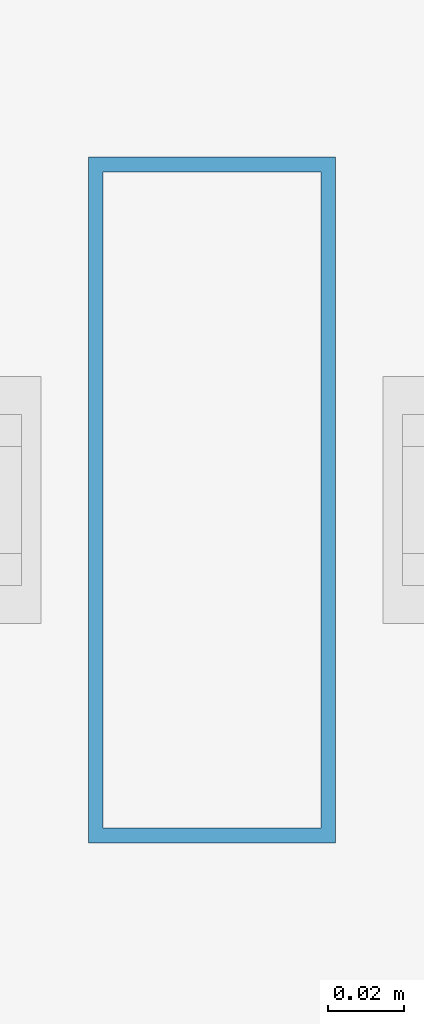
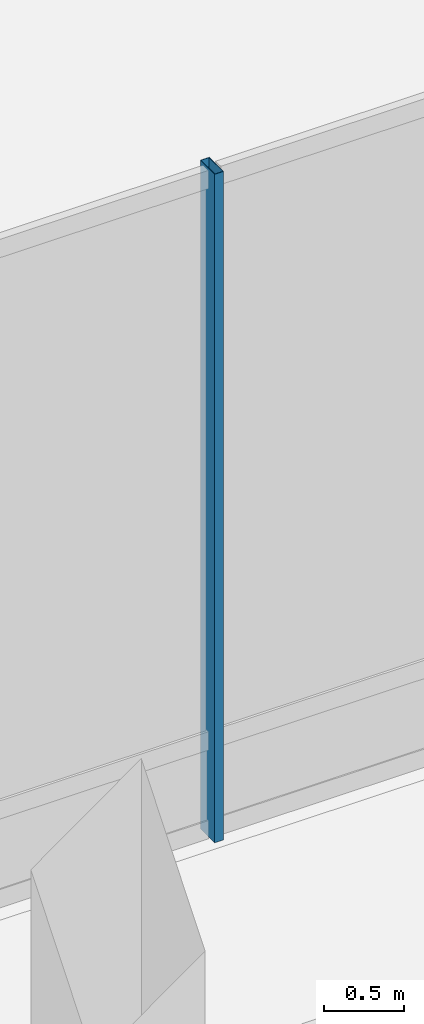
# One storey, part 5 of 36: 1 member, 1 element without a shape of its own.
"""IFC4 building model written with IfcOpenShell, lengths in metres."""

from ifc_helpers import new_model, si_unit, direction, frame, origin, origin_2d, place, context, subcontext, project, spatial, hollow_rectangle, extrude, material, layer, layer_set, material_profile, profile_set, type_object, element, aggregate, save


model = new_model("IFC4")

# Units and contexts
model_context = context("Model", 3, precision=1e-05, world=origin(), true_north=direction((0.0, 1.0)))
body_context = subcontext(model_context, "Body", "Model", "MODEL_VIEW")
ifc_project = project(units=[si_unit("LENGTHUNIT", "METRE"), si_unit("AREAUNIT", "SQUARE_METRE"), si_unit("VOLUMEUNIT", "CUBIC_METRE"), si_unit("PLANEANGLEUNIT", "RADIAN"), si_unit("MASSUNIT", "GRAM", prefix="KILO")], contexts=[model_context])

# Site, building, storey
site_placement = place(None, origin())
site = spatial("IfcSite", under=ifc_project, at=site_placement, CompositionType="ELEMENT")
building_placement = place(site_placement, origin())
building = spatial("IfcBuilding", under=site, at=building_placement, Name="Barlavira Tower and Art Museum", CompositionType="ELEMENT")
storey_placement = place(building_placement, frame((0.0, 0.0, 11.39990234375)))
storey = spatial("IfcBuildingStorey", under=building, at=storey_placement, Name="L02", CompositionType="ELEMENT", Elevation=11.39990234375)

# Curtain wall, member
ifc_material_1 = material(Name="Low-iron coastal laminated glass", Category="glass")
ifc_layer = layer(ifc_material_1, 0.179931640625, Name="Low-iron coastal laminated glass")
ifc_layer_set = layer_set([ifc_layer], Name="Low-iron coastal laminated glass")
curtain_wall_type = type_object("IfcCurtainWallType", Name="Pale-Metal Unitised Curtain Wall Zone 1", PredefinedType="NOTDEFINED", material=ifc_layer_set)
curtain_wall_placement = place(storey_placement, origin())
curtain_wall = element("IfcCurtainWall", 1, at=curtain_wall_placement, inside=storey, type_object=curtain_wall_type, Name="L02 Curtain Wall CW1-L02-S", PredefinedType="NOTDEFINED")
ifc_material_2 = material(Name="Pale anodised aluminium", Category="aluminium")
ifc_material_profile = material_profile(ifc_material_2, hollow_rectangle(XDim=0.06494140625, YDim=0.179931640625, WallThickness=0.00390625, at=origin_2d()), Name="ALU-MULL 65x180x4")
ifc_profile_set = profile_set([ifc_material_profile], Name="Pale anodised aluminium")
member_type = type_object("IfcMemberType", Name="Curtain Wall Pale-Metal Mullion 65x180", PredefinedType="MULLION", material=ifc_profile_set)
member_placement = place(storey_placement, frame((-4.0, -21.85009765625, 0.0), z_axis=(0.0, 0.0, 1.0), x_axis=(1.0, 0.0, 0.0)))
member = element("IfcMember", 2, at=member_placement, type_object=member_type, Name="CW1-L02-S Mullion 1", PredefinedType="MULLION", context=body_context, shape_type="SweptSolid", body=[
    extrude(hollow_rectangle(XDim=0.06494140625, YDim=0.179931640625, WallThickness=0.00390625, at=origin_2d()), origin(), (0.0, 0.0, 1.0), 5.1201171875),
])
aggregate(curtain_wall, [member])

save(model, "model.ifc")
